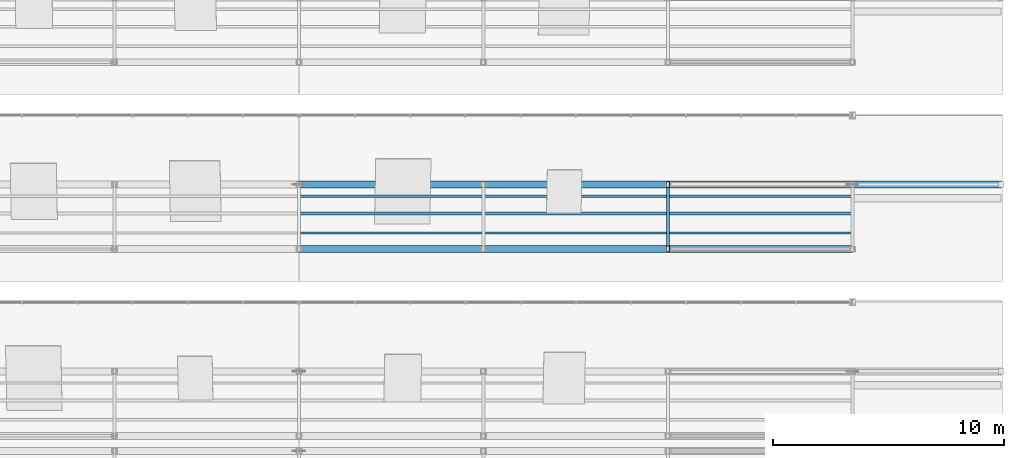
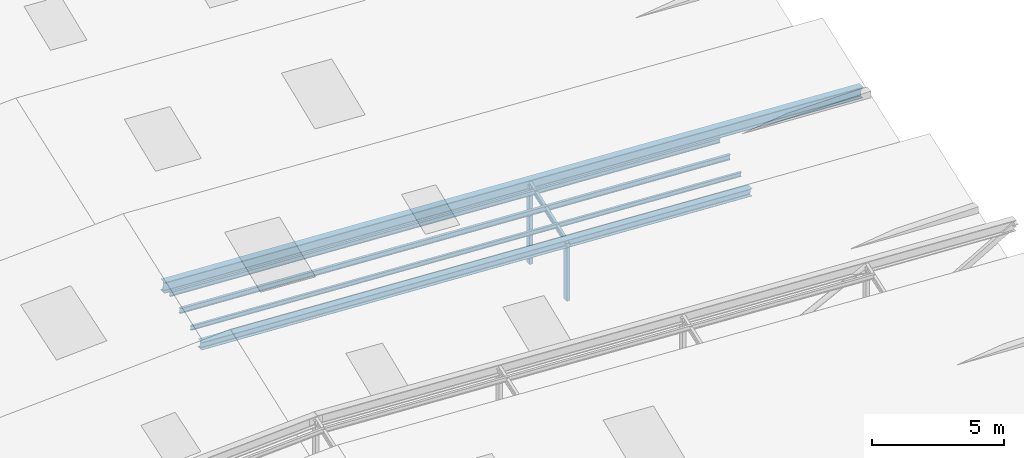
# One storey, part 61 of 141: 8 members.
"""IFC4 building model written with IfcOpenShell, lengths in metres."""

from ifc_helpers import new_model, si_unit, direction, frame, origin, origin_2d, place, context, subcontext, project, spatial, hollow_rectangle, i_section, extrude, material, material_profile, profile_set, type_object, element, save


model = new_model("IFC4")

# Units and contexts
model_context = context("Model", 3, precision=1e-05, world=origin(), true_north=direction((0.0, 1.0)))
body_context = subcontext(model_context, "Body", "Model", "MODEL_VIEW")
ifc_project = project(units=[si_unit("LENGTHUNIT", "METRE"), si_unit("AREAUNIT", "SQUARE_METRE"), si_unit("VOLUMEUNIT", "CUBIC_METRE"), si_unit("PLANEANGLEUNIT", "RADIAN"), si_unit("MASSUNIT", "GRAM", prefix="KILO")], contexts=[model_context])

# Site, building, storey
site_placement = place(None, origin())
site = spatial("IfcSite", under=ifc_project, at=site_placement, CompositionType="ELEMENT")
building_placement = place(site_placement, origin())
building = spatial("IfcBuilding", under=site, at=building_placement, Name="Sundkrona Museum", CompositionType="ELEMENT")
storey_placement = place(building_placement, frame((0.0, 0.0, 34.0)))
storey = spatial("IfcBuildingStorey", under=building, at=storey_placement, Name="RF", CompositionType="ELEMENT", Elevation=34.0)

# Members
ifc_material = material(Name="Steel S355J2", Category="steel")
ifc_material_profile_1 = material_profile(ifc_material, i_section(OverallWidth=0.10009765625, OverallDepth=0.199951171875, WebThickness=0.005615234375, FlangeThickness=0.008544921875, FilletRadius=0.011962890625, at=origin_2d()), Name="IPE 200")
ifc_profile_set_1 = profile_set([ifc_material_profile_1], Name="Steel S355J2")
member_type_1 = type_object("IfcMemberType", Name="PR-IPE200", PredefinedType="PURLIN", material=ifc_profile_set_1)
for number, where, z_axis, x_axis, name in (
    (1, (144.0, 13.300048828125, 3.617919921875), (0.998539934522, 0.0, -0.054018507607), (0.0, 1.0, 0.0), "RFS-1 Sawtooth Blade 3E Roof Purlin 1"),
    (2, (144.0, 14.89599609375, 4.205322265625), (0.998539934522, 0.0, -0.054018507607), (0.0, 1.0, 0.0), "RFS-1 Sawtooth Blade 3E Roof Purlin 3"),
):
    element("IfcMember", number, at=place(storey_placement, frame(where, z_axis=z_axis, x_axis=x_axis)), inside=storey, type_object=member_type_1, Name=name, PredefinedType="PURLIN", context=body_context, shape_type="SweptSolid", body=[
        extrude(i_section(OverallWidth=0.10009765625, OverallDepth=0.199951171875, WebThickness=0.005615234375, FlangeThickness=0.008544921875, FilletRadius=0.011962890625, at=origin_2d()), origin(), (0.0, 0.0, 1.0), 24.03515625),
    ])
ifc_material_profile_2 = material_profile(ifc_material, i_section(OverallWidth=0.1201171875, OverallDepth=0.239990234375, WebThickness=0.006103515625, FlangeThickness=0.009765625, FilletRadius=0.014892578125, at=origin_2d()), Name="IPE 240")
ifc_profile_set_2 = profile_set([ifc_material_profile_2], Name="Steel S355J2")
member_type_2 = type_object("IfcMemberType", Name="PR-IPE240", PredefinedType="PURLIN", material=ifc_profile_set_2)
member_1_placement = place(storey_placement, frame((160.0, 12.60009765625, 2.40966796875), z_axis=(0.0, 0.942719886711, 0.333585394164), x_axis=(-1.0, 0.0, 0.0)))
element("IfcMember", 3, at=member_1_placement, inside=storey, type_object=member_type_2, Name="RFS-1 Sawtooth Bay 3 Transverse Rafter 6", PredefinedType="PURLIN", context=body_context, shape_type="SweptSolid", body=[
    extrude(i_section(OverallWidth=0.1201171875, OverallDepth=0.239990234375, WebThickness=0.006103515625, FlangeThickness=0.009765625, FilletRadius=0.014892578125, at=origin_2d()), origin(), (0.0, 0.0, 1.0), 2.969970703125),
])
member_2_placement = place(storey_placement, frame((144.0, 14.139892578125, 3.906982421875), z_axis=(0.998539934522, 0.0, -0.054018507607), x_axis=(0.0, 1.0, 0.0)))
element("IfcMember", 4, at=member_2_placement, inside=storey, type_object=member_type_2, Name="RFS-1 Sawtooth Blade 3E Roof Purlin 2", PredefinedType="PURLIN", context=body_context, shape_type="SweptSolid", body=[
    extrude(i_section(OverallWidth=0.1201171875, OverallDepth=0.239990234375, WebThickness=0.006103515625, FlangeThickness=0.009765625, FilletRadius=0.014892578125, at=origin_2d()), origin(), (0.0, 0.0, 1.0), 24.03515625),
])
ifc_material_profile_3 = material_profile(ifc_material, hollow_rectangle(XDim=0.14990234375, YDim=0.25, WallThickness=0.010009765625, at=origin_2d()), Name="RHS 250x150x10.0")
ifc_profile_set_3 = profile_set([ifc_material_profile_3], Name="Steel S355J2")
member_type_3 = type_object("IfcMemberType", Name="ST-RHS250", PredefinedType="STRUT", material=ifc_profile_set_3)
member_3_placement = place(storey_placement, frame((160.0, 15.39990234375, -0.25), z_axis=(0.0, 0.0, 1.0), x_axis=(1.0, 0.0, 0.0)))
element("IfcMember", 5, at=member_3_placement, inside=storey, type_object=member_type_3, Name="RFS-1 Sawtooth Truss 3 Vertical Post 6", PredefinedType="STRUT", context=body_context, shape_type="SweptSolid", body=[
    extrude(hollow_rectangle(XDim=0.14990234375, YDim=0.25, WallThickness=0.010009765625, at=origin_2d()), origin(), (0.0, 0.0, 1.0), 3.650390625),
])
member_4_placement = place(storey_placement, frame((160.0, 12.60009765625, -0.25), z_axis=(0.0, 0.0, 1.0), x_axis=(1.0, 0.0, 0.0)))
element("IfcMember", 6, at=member_4_placement, inside=storey, type_object=member_type_3, Name="RFS-1 Sawtooth Bay 3 Valley Post 6", PredefinedType="STRUT", context=body_context, shape_type="SweptSolid", body=[
    extrude(hollow_rectangle(XDim=0.14990234375, YDim=0.25, WallThickness=0.010009765625, at=origin_2d()), origin(), (0.0, 0.0, 1.0), 2.65966796875),
])
ifc_material_profile_4 = material_profile(ifc_material, i_section(OverallWidth=0.300048828125, OverallDepth=0.35009765625, WebThickness=0.010009765625, FlangeThickness=0.017578125, FilletRadius=0.027099609375, at=origin_2d()), Name="HEA 360")
ifc_profile_set_4 = profile_set([ifc_material_profile_4], Name="Steel S355J2")
member_type_4 = type_object("IfcMemberType", Name="TC-HEA360", PredefinedType="CHORD", material=ifc_profile_set_4)
member_5_placement = place(storey_placement, frame((144.0, 12.60009765625, 3.275390625), z_axis=(0.99853938657, 0.0, -0.054028635632), x_axis=(0.0, 1.0, 0.0)))
element("IfcMember", 7, at=member_5_placement, inside=storey, type_object=member_type_4, Name="RFS-1 Sawtooth Valley Truss 3 East Top Chord", PredefinedType="CHORD", context=body_context, shape_type="SweptSolid", body=[
    extrude(i_section(OverallWidth=0.300048828125, OverallDepth=0.35009765625, WebThickness=0.010009765625, FlangeThickness=0.017578125, FilletRadius=0.027099609375, at=origin_2d()), origin(), (0.0, 0.0, 1.0), 24.03515625),
])
ifc_material_profile_5 = material_profile(ifc_material, i_section(OverallWidth=0.300048828125, OverallDepth=0.5, WebThickness=0.014404296875, FlangeThickness=0.028076171875, FilletRadius=0.027099609375, at=origin_2d()), Name="HEB 500")
ifc_profile_set_5 = profile_set([ifc_material_profile_5], Name="Steel S355J2")
member_type_5 = type_object("IfcMemberType", Name="TC-HEB500", PredefinedType="CHORD", material=ifc_profile_set_5)
member_6_placement = place(storey_placement, frame((144.0, 15.39990234375, 4.265869140625), z_axis=(0.998539589753, 0.0, -0.054024880348), x_axis=(0.0, 1.0, 0.0)))
element("IfcMember", 8, at=member_6_placement, inside=storey, type_object=member_type_5, Name="RFS-1 Sawtooth Truss 3 East Sloped Top Chord", PredefinedType="CHORD", context=body_context, shape_type="SweptSolid", body=[
    extrude(i_section(OverallWidth=0.300048828125, OverallDepth=0.5, WebThickness=0.014404296875, FlangeThickness=0.028076171875, FilletRadius=0.027099609375, at=origin_2d()), origin(), (0.0, 0.0, 1.0), 30.494384765625),
])

save(model, "model.ifc")
